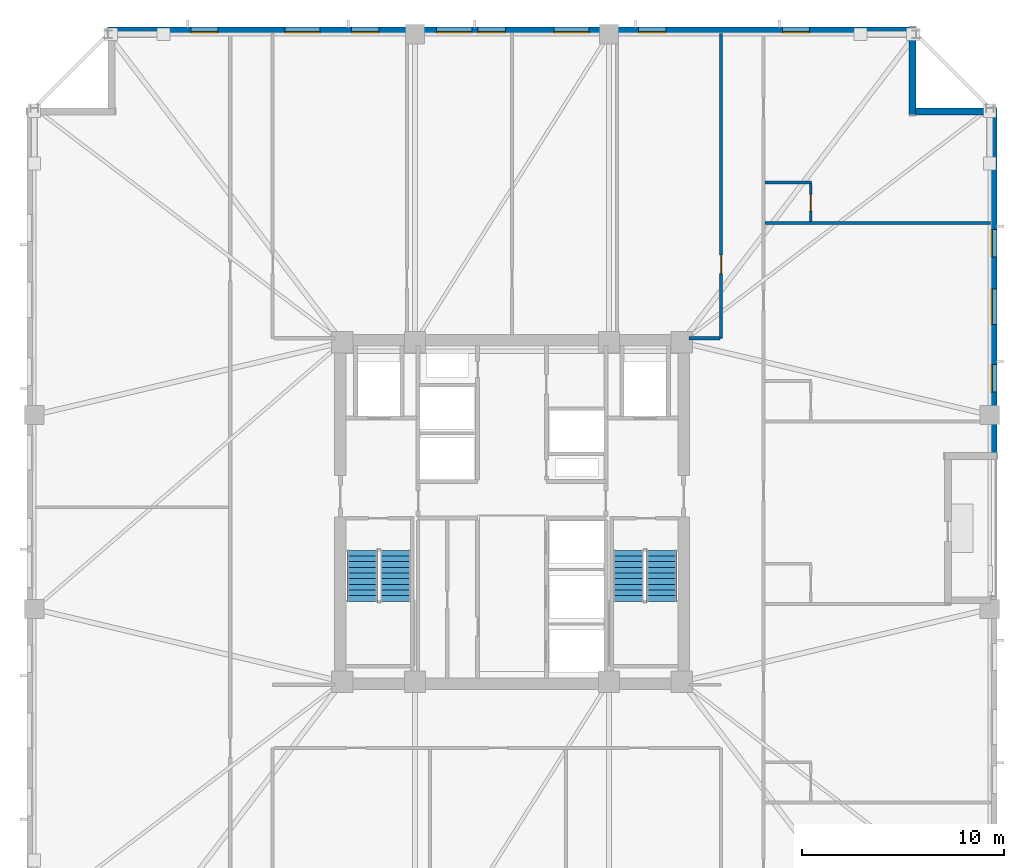
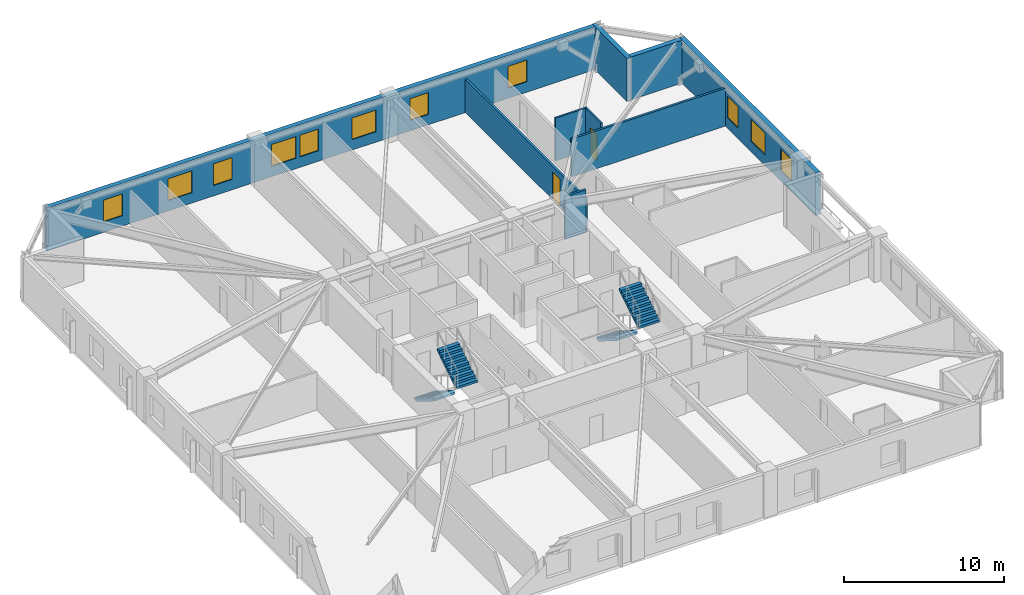
# One storey, part 5 of 10: 11 windows, 9 walls, 4 stair flights, 2 doors, 13 openings, 2 elements without a shape of their own.
"""IFC4 building model written with IfcOpenShell, lengths in metres."""

from ifc_helpers import new_model, si_unit, direction, frame, frame_2d, origin, place, context, subcontext, project, spatial, polyline, rectangle, outline, extrude, material, layer, layer_set, type_object, element, fill, aggregate, save


model = new_model("IFC4")

# Units and contexts
model_context = context("Model", 3, precision=1e-05, world=origin(), true_north=direction((0.0, 1.0)))
body_context = subcontext(model_context, "Body", "Model", "MODEL_VIEW")
ifc_project = project(units=[si_unit("LENGTHUNIT", "METRE"), si_unit("AREAUNIT", "SQUARE_METRE"), si_unit("VOLUMEUNIT", "CUBIC_METRE"), si_unit("PLANEANGLEUNIT", "RADIAN"), si_unit("MASSUNIT", "GRAM", prefix="KILO")], contexts=[model_context])

# Site, building, storey
site_placement = place(None, origin())
site = spatial("IfcSite", under=ifc_project, at=site_placement, CompositionType="ELEMENT")
building_placement = place(site_placement, origin())
building = spatial("IfcBuilding", under=site, at=building_placement, Name="Cairnveth Concourse Tower", CompositionType="ELEMENT")
storey_placement = place(building_placement, frame((0.0, 0.0, 183.0)))
storey = spatial("IfcBuildingStorey", under=building, at=storey_placement, Name="L50", CompositionType="ELEMENT", Elevation=183.0)

# Wall, opening, door
ifc_material_1 = material(Name="Gypsum Plasterboard Partition", Category="gypsum")
ifc_layer_1 = layer(ifc_material_1, 0.159912109375)
ifc_layer_set_1 = layer_set([ifc_layer_1], Name="Gypsum Plasterboard Partition")
wall_type_1 = type_object("IfcWallType", Name="ACOUSTIC PARTY WALL 180", PredefinedType="PARTITIONING", material=ifc_layer_set_1)
wall_1_placement = place(storey_placement, frame((62.35009765625, 47.60009765625, 0.0), z_axis=(0.0, 0.0, 1.0), x_axis=(0.0, 1.0, 0.0)))
wall_1 = element("IfcWall", 1, at=wall_1_placement, inside=storey, type_object=wall_type_1, Name="Interior Wall IW-L50-043", PredefinedType="PARTITIONING", context=body_context, shape_type="SweptSolid", body=[
    extrude(rectangle(XDim=15.074951171875, YDim=0.159912109375, at=frame_2d((7.53759765625, 0.0))), origin(), (0.0, 0.0, 1.0), 2.554931640625),
])
opening_1_placement = place(wall_1_placement, frame((3.199951171875, 0.0, 0.0)))
opening_1 = element("IfcOpeningElement", 2, at=opening_1_placement, cuts=wall_1, Name="Opening ID15", PredefinedType="OPENING", context=body_context, shape_type="SweptSolid", body=[
    extrude(rectangle(XDim=0.919921875, YDim=2.1201171875, at=frame_2d((0.4599609375, 1.06005859375))), frame((0.0, 0.08984375, 0.0), z_axis=(0.0, -1.0, 0.0), x_axis=(1.0, 0.0, 0.0)), (0.0, 0.0, 1.0), 0.179931640625),
])
ifc_material_2 = material(Name="Solid Core Hardwood Timber Leaf", Category="wood")
door_type_1 = type_object("IfcDoorType", Name="INTERIOR SINGLE DOOR 920X2100", OperationType="NOTDEFINED", PredefinedType="DOOR", material=ifc_material_2)
door_1_placement = place(opening_1_placement, origin())
door_1 = element("IfcDoor", 3, at=door_1_placement, inside=storey, type_object=door_type_1, Name="Interior Door DR-L50-018", OperationType="SINGLE_SWING_RIGHT", OverallHeight=2.1201171875, OverallWidth=0.919921875, PredefinedType="DOOR", context=body_context, shape_type="SweptSolid", body=[
    extrude(rectangle(XDim=0.919921875, YDim=2.1201171875, at=frame_2d((0.4599609375, 1.06005859375))), frame((0.0, 0.02490234375, 0.0), z_axis=(0.0, -1.0, 0.0), x_axis=(1.0, 0.0, 0.0)), (0.0, 0.0, 1.0), 0.050048828125),
])
fill(opening_1, door_1)

# Walls
wall_2_placement = place(storey_placement, frame((60.764892578125, 47.60009765625, 0.0), z_axis=(0.0, 0.0, 1.0), x_axis=(1.0, 0.0, 0.0)))
element("IfcWall", 4, at=wall_2_placement, inside=storey, type_object=wall_type_1, Name="Interior Wall IW-L50-045", PredefinedType="PARTITIONING", context=body_context, shape_type="SweptSolid", body=[
    extrude(rectangle(XDim=1.52001953125, YDim=0.159912109375, at=frame_2d((0.760009765625, 0.0))), origin(), (0.0, 0.0, 1.0), 3.280029296875),
])
wall_3_placement = place(storey_placement, frame((64.530029296875, 53.308837890625, 0.0), z_axis=(0.0, 0.0, 1.0), x_axis=(1.0, 0.0, 0.0)))
element("IfcWall", 5, at=wall_3_placement, inside=storey, type_object=wall_type_1, Name="Interior Wall IW-L50-065", PredefinedType="PARTITIONING", context=body_context, shape_type="SweptSolid", body=[
    extrude(rectangle(XDim=11.14501953125, YDim=0.159912109375, at=frame_2d((5.572509765625, 0.0))), origin(), (0.0, 0.0, 1.0), 2.89599609375),
])
ifc_layer_2 = layer(ifc_material_1, 0.1298828125)
ifc_layer_set_2 = layer_set([ifc_layer_2], Name="Gypsum Plasterboard Partition")
wall_type_2 = type_object("IfcWallType", Name="WET AREA PARTITION 140", PredefinedType="PLUMBINGWALL", material=ifc_layer_set_2)
wall_4_placement = place(storey_placement, frame((64.514892578125, 55.308837890625, 0.0), z_axis=(0.0, 0.0, 1.0), x_axis=(1.0, 0.0, 0.0)))
element("IfcWall", 6, at=wall_4_placement, inside=storey, type_object=wall_type_2, Name="Interior Wall IW-L50-066", PredefinedType="PLUMBINGWALL", context=body_context, shape_type="SweptSolid", body=[
    extrude(rectangle(XDim=2.315185546875, YDim=0.1298828125, at=frame_2d((1.15771484375, 0.0))), origin(), (0.0, 0.0, 1.0), 3.280029296875),
])

# Wall, opening, door
wall_5_placement = place(storey_placement, frame((66.780029296875, 53.373779296875, 0.0), z_axis=(0.0, 0.0, 1.0), x_axis=(0.0, 1.0, 0.0)))
wall_5 = element("IfcWall", 7, at=wall_5_placement, inside=storey, type_object=wall_type_2, Name="Interior Wall IW-L50-067", PredefinedType="PLUMBINGWALL", context=body_context, shape_type="SweptSolid", body=[
    extrude(rectangle(XDim=1.885009765625, YDim=0.1298828125, at=frame_2d((0.9423828125, 0.0))), origin(), (0.0, 0.0, 1.0), 3.280029296875),
])
opening_2_placement = place(wall_5_placement, frame((0.52490234375, 0.0, 0.0)))
opening_2 = element("IfcOpeningElement", 8, at=opening_2_placement, cuts=wall_5, Name="Opening ID22", PredefinedType="OPENING", context=body_context, shape_type="SweptSolid", body=[
    extrude(rectangle(XDim=0.820068359375, YDim=2.10009765625, at=frame_2d((0.41015625, 1.050048828125))), frame((0.0, 0.074951171875, 0.0), z_axis=(0.0, -1.0, 0.0), x_axis=(1.0, 0.0, 0.0)), (0.0, 0.0, 1.0), 0.14990234375),
])
door_type_2 = type_object("IfcDoorType", Name="INTERIOR WC DOOR 820X2100", OperationType="NOTDEFINED", PredefinedType="DOOR", material=ifc_material_2)
door_2_placement = place(opening_2_placement, origin())
door_2 = element("IfcDoor", 9, at=door_2_placement, inside=storey, type_object=door_type_2, Name="En-Suite Door L50-E5", OperationType="SINGLE_SWING_RIGHT", OverallHeight=2.10009765625, OverallWidth=0.820068359375, PredefinedType="DOOR", context=body_context, shape_type="SweptSolid", body=[
    extrude(rectangle(XDim=0.820068359375, YDim=2.10009765625, at=frame_2d((0.41015625, 1.050048828125))), frame((0.0, 0.02490234375, 0.0), z_axis=(0.0, -1.0, 0.0), x_axis=(1.0, 0.0, 0.0)), (0.0, 0.0, 1.0), 0.050048828125),
])
fill(opening_2, door_2)

# Wall, openings, windows
ifc_material_3 = material(Name="Hawthorn Red-Ochre Fired Clay Brick Masonry", Category="masonry")
ifc_layer_3 = layer(ifc_material_3, 0.340087890625)
ifc_layer_set_3 = layer_set([ifc_layer_3], Name="Hawthorn Red-Ochre Fired Clay Brick Masonry")
wall_type_3 = type_object("IfcWallType", Name="ZONE 2 BRICK PIER SPANDREL WALL 340", PredefinedType="SOLIDWALL", material=ifc_layer_set_3)
wall_6_placement = place(storey_placement, frame((32.0, 62.830078125, 0.0), z_axis=(0.0, 0.0, 1.0), x_axis=(1.0, 0.0, 0.0)))
wall_6 = element("IfcWall", 10, at=wall_6_placement, inside=storey, type_object=wall_type_3, Name="Exterior Wall EW-L50-S09", PredefinedType="SOLIDWALL", context=body_context, shape_type="SweptSolid", body=[
    extrude(rectangle(XDim=39.681884765625, YDim=0.340087890625, at=frame_2d((19.8408203125, 0.0))), origin(), (0.0, 0.0, 1.0), 3.280029296875),
])
opening_3_placement = place(wall_6_placement, frame((4.101806640625, 0.0, 0.800048828125)))
opening_3 = element("IfcOpeningElement", 11, at=opening_3_placement, cuts=wall_6, Name="Opening W02", PredefinedType="OPENING", context=body_context, shape_type="SweptSolid", body=[
    extrude(rectangle(XDim=1.35009765625, YDim=1.659912109375, at=frame_2d((0.675048828125, 0.830078125))), frame((0.0, 0.179931640625, 0.0), z_axis=(0.0, -1.0, 0.0), x_axis=(1.0, 0.0, 0.0)), (0.0, 0.0, 1.0), 0.360107421875),
])
opening_4_placement = place(wall_6_placement, frame((8.75537109375, 0.0, 0.800048828125)))
opening_4 = element("IfcOpeningElement", 12, at=opening_4_placement, cuts=wall_6, Name="Opening W06", PredefinedType="OPENING", context=body_context, shape_type="SweptSolid", body=[
    extrude(rectangle(XDim=1.75, YDim=1.659912109375, at=frame_2d((0.875, 0.830078125))), frame((0.0, 0.179931640625, 0.0), z_axis=(0.0, -1.0, 0.0), x_axis=(1.0, 0.0, 0.0)), (0.0, 0.0, 1.0), 0.360107421875),
])
opening_5_placement = place(wall_6_placement, frame((12.058837890625, 0.0, 0.800048828125)))
opening_5 = element("IfcOpeningElement", 13, at=opening_5_placement, cuts=wall_6, Name="Opening W02", PredefinedType="OPENING", context=body_context, shape_type="SweptSolid", body=[
    extrude(rectangle(XDim=1.35009765625, YDim=1.659912109375, at=frame_2d((0.675048828125, 0.830078125))), frame((0.0, 0.179931640625, 0.0), z_axis=(0.0, -1.0, 0.0), x_axis=(1.0, 0.0, 0.0)), (0.0, 0.0, 1.0), 0.360107421875),
])
opening_6_placement = place(wall_6_placement, frame((16.262451171875, 0.0, 0.800048828125)))
opening_6 = element("IfcOpeningElement", 14, at=opening_6_placement, cuts=wall_6, Name="Opening W06", PredefinedType="OPENING", context=body_context, shape_type="SweptSolid", body=[
    extrude(rectangle(XDim=1.75, YDim=1.659912109375, at=frame_2d((0.875, 0.830078125))), frame((0.0, 0.179931640625, 0.0), z_axis=(0.0, -1.0, 0.0), x_axis=(1.0, 0.0, 0.0)), (0.0, 0.0, 1.0), 0.360107421875),
])
opening_7_placement = place(wall_6_placement, frame((18.31591796875, 0.0, 0.800048828125)))
opening_7 = element("IfcOpeningElement", 15, at=opening_7_placement, cuts=wall_6, Name="Opening W02", PredefinedType="OPENING", context=body_context, shape_type="SweptSolid", body=[
    extrude(rectangle(XDim=1.35009765625, YDim=1.659912109375, at=frame_2d((0.675048828125, 0.830078125))), frame((0.0, 0.179931640625, 0.0), z_axis=(0.0, -1.0, 0.0), x_axis=(1.0, 0.0, 0.0)), (0.0, 0.0, 1.0), 0.360107421875),
])
opening_8_placement = place(wall_6_placement, frame((22.069580078125, 0.0, 0.800048828125)))
opening_8 = element("IfcOpeningElement", 16, at=opening_8_placement, cuts=wall_6, Name="Opening W06", PredefinedType="OPENING", context=body_context, shape_type="SweptSolid", body=[
    extrude(rectangle(XDim=1.75, YDim=1.659912109375, at=frame_2d((0.875, 0.830078125))), frame((0.0, 0.179931640625, 0.0), z_axis=(0.0, -1.0, 0.0), x_axis=(1.0, 0.0, 0.0)), (0.0, 0.0, 1.0), 0.360107421875),
])
opening_9_placement = place(wall_6_placement, frame((26.273193359375, 0.0, 0.800048828125)))
opening_9 = element("IfcOpeningElement", 17, at=opening_9_placement, cuts=wall_6, Name="Opening W02", PredefinedType="OPENING", context=body_context, shape_type="SweptSolid", body=[
    extrude(rectangle(XDim=1.35009765625, YDim=1.659912109375, at=frame_2d((0.675048828125, 0.830078125))), frame((0.0, 0.179931640625, 0.0), z_axis=(0.0, -1.0, 0.0), x_axis=(1.0, 0.0, 0.0)), (0.0, 0.0, 1.0), 0.360107421875),
])
opening_10_placement = place(wall_6_placement, frame((33.380126953125, 0.0, 0.800048828125)))
opening_10 = element("IfcOpeningElement", 18, at=opening_10_placement, cuts=wall_6, Name="Opening W02", PredefinedType="OPENING", context=body_context, shape_type="SweptSolid", body=[
    extrude(rectangle(XDim=1.35009765625, YDim=1.659912109375, at=frame_2d((0.675048828125, 0.830078125))), frame((0.0, 0.179931640625, 0.0), z_axis=(0.0, -1.0, 0.0), x_axis=(1.0, 0.0, 0.0)), (0.0, 0.0, 1.0), 0.360107421875),
])
ifc_material_4 = material(Name="Double Glazed Low-E Clear Glass", Category="glass")
window_type_1 = type_object("IfcWindowType", Name="DEEP-SET GOTHIC LANCET WINDOW 1350X1800", PartitioningType="DOUBLE_PANEL_VERTICAL", PredefinedType="WINDOW", material=ifc_material_4)
window_1_placement = place(opening_3_placement, origin())
window_1 = element("IfcWindow", 19, at=window_1_placement, inside=storey, type_object=window_type_1, Name="Gothic Lancet Window L50-9-1", OverallHeight=1.659912109375, OverallWidth=1.35009765625, PartitioningType="SINGLE_PANEL", PredefinedType="WINDOW", context=body_context, shape_type="SweptSolid", body=[
    extrude(rectangle(XDim=1.35009765625, YDim=1.659912109375, at=frame_2d((0.675048828125, 0.830078125))), frame((0.0, -0.050048828125, 0.0), z_axis=(0.0, -1.0, 0.0), x_axis=(1.0, 0.0, 0.0)), (0.0, 0.0, 1.0), 0.06005859375),
])
fill(opening_3, window_1)
window_2_placement = place(opening_5_placement, origin())
window_2 = element("IfcWindow", 20, at=window_2_placement, inside=storey, type_object=window_type_1, Name="Gothic Lancet Window L50-9-3", OverallHeight=1.659912109375, OverallWidth=1.35009765625, PartitioningType="SINGLE_PANEL", PredefinedType="WINDOW", context=body_context, shape_type="SweptSolid", body=[
    extrude(rectangle(XDim=1.35009765625, YDim=1.659912109375, at=frame_2d((0.675048828125, 0.830078125))), frame((0.0, -0.050048828125, 0.0), z_axis=(0.0, -1.0, 0.0), x_axis=(1.0, 0.0, 0.0)), (0.0, 0.0, 1.0), 0.06005859375),
])
fill(opening_5, window_2)
window_3_placement = place(opening_7_placement, origin())
window_3 = element("IfcWindow", 21, at=window_3_placement, inside=storey, type_object=window_type_1, Name="Gothic Lancet Window L50-9-5", OverallHeight=1.659912109375, OverallWidth=1.35009765625, PartitioningType="SINGLE_PANEL", PredefinedType="WINDOW", context=body_context, shape_type="SweptSolid", body=[
    extrude(rectangle(XDim=1.35009765625, YDim=1.659912109375, at=frame_2d((0.675048828125, 0.830078125))), frame((0.0, -0.050048828125, 0.0), z_axis=(0.0, -1.0, 0.0), x_axis=(1.0, 0.0, 0.0)), (0.0, 0.0, 1.0), 0.06005859375),
])
fill(opening_7, window_3)
window_4_placement = place(opening_9_placement, origin())
window_4 = element("IfcWindow", 22, at=window_4_placement, inside=storey, type_object=window_type_1, Name="Gothic Lancet Window L50-9-7", OverallHeight=1.659912109375, OverallWidth=1.35009765625, PartitioningType="SINGLE_PANEL", PredefinedType="WINDOW", context=body_context, shape_type="SweptSolid", body=[
    extrude(rectangle(XDim=1.35009765625, YDim=1.659912109375, at=frame_2d((0.675048828125, 0.830078125))), frame((0.0, -0.050048828125, 0.0), z_axis=(0.0, -1.0, 0.0), x_axis=(1.0, 0.0, 0.0)), (0.0, 0.0, 1.0), 0.06005859375),
])
fill(opening_9, window_4)
window_5_placement = place(opening_10_placement, origin())
window_5 = element("IfcWindow", 23, at=window_5_placement, inside=storey, type_object=window_type_1, Name="Gothic Lancet Window L50-9-9", OverallHeight=1.659912109375, OverallWidth=1.35009765625, PartitioningType="SINGLE_PANEL", PredefinedType="WINDOW", context=body_context, shape_type="SweptSolid", body=[
    extrude(rectangle(XDim=1.35009765625, YDim=1.659912109375, at=frame_2d((0.675048828125, 0.830078125))), frame((0.0, -0.050048828125, 0.0), z_axis=(0.0, -1.0, 0.0), x_axis=(1.0, 0.0, 0.0)), (0.0, 0.0, 1.0), 0.06005859375),
])
fill(opening_10, window_5)
window_type_2 = type_object("IfcWindowType", Name="DEEP-SET HOTEL SUITE WINDOW 1750X1800", PartitioningType="DOUBLE_PANEL_VERTICAL", PredefinedType="WINDOW", material=ifc_material_4)
window_6_placement = place(opening_4_placement, origin())
window_6 = element("IfcWindow", 24, at=window_6_placement, inside=storey, type_object=window_type_2, Name="Gothic Lancet Window L50-9-2", OverallHeight=1.659912109375, OverallWidth=1.75, PartitioningType="SINGLE_PANEL", PredefinedType="WINDOW", context=body_context, shape_type="SweptSolid", body=[
    extrude(rectangle(XDim=1.75, YDim=1.659912109375, at=frame_2d((0.875, 0.830078125))), frame((0.0, -0.050048828125, 0.0), z_axis=(0.0, -1.0, 0.0), x_axis=(1.0, 0.0, 0.0)), (0.0, 0.0, 1.0), 0.06005859375),
])
fill(opening_4, window_6)
window_7_placement = place(opening_6_placement, origin())
window_7 = element("IfcWindow", 25, at=window_7_placement, inside=storey, type_object=window_type_2, Name="Gothic Lancet Window L50-9-4", OverallHeight=1.659912109375, OverallWidth=1.75, PartitioningType="SINGLE_PANEL", PredefinedType="WINDOW", context=body_context, shape_type="SweptSolid", body=[
    extrude(rectangle(XDim=1.75, YDim=1.659912109375, at=frame_2d((0.875, 0.830078125))), frame((0.0, -0.050048828125, 0.0), z_axis=(0.0, -1.0, 0.0), x_axis=(1.0, 0.0, 0.0)), (0.0, 0.0, 1.0), 0.06005859375),
])
fill(opening_6, window_7)
window_8_placement = place(opening_8_placement, origin())
window_8 = element("IfcWindow", 26, at=window_8_placement, inside=storey, type_object=window_type_2, Name="Gothic Lancet Window L50-9-6", OverallHeight=1.659912109375, OverallWidth=1.75, PartitioningType="SINGLE_PANEL", PredefinedType="WINDOW", context=body_context, shape_type="SweptSolid", body=[
    extrude(rectangle(XDim=1.75, YDim=1.659912109375, at=frame_2d((0.875, 0.830078125))), frame((0.0, -0.050048828125, 0.0), z_axis=(0.0, -1.0, 0.0), x_axis=(1.0, 0.0, 0.0)), (0.0, 0.0, 1.0), 0.06005859375),
])
fill(opening_8, window_8)

# Walls
wall_7_placement = place(storey_placement, frame((71.830078125, 63.0, 0.0), z_axis=(0.0, 0.0, 1.0), x_axis=(0.0, -1.0, 0.0)))
element("IfcWall", 27, at=wall_7_placement, inside=storey, type_object=wall_type_3, Name="Exterior Wall EW-L50-S10", PredefinedType="SOLIDWALL", context=body_context, shape_type="SweptSolid", body=[
    extrude(rectangle(XDim=4.340087890625, YDim=0.340087890625, at=frame_2d((2.169921875, 0.0))), origin(), (0.0, 0.0, 1.0), 3.280029296875),
])
wall_8_placement = place(storey_placement, frame((71.97802734375, 58.830078125, 0.0), z_axis=(0.0, 0.0, 1.0), x_axis=(1.0, 0.0, 0.0)))
element("IfcWall", 28, at=wall_8_placement, inside=storey, type_object=wall_type_3, Name="Exterior Wall EW-L50-S11", PredefinedType="SOLIDWALL", context=body_context, shape_type="SweptSolid", body=[
    extrude(rectangle(XDim=3.703857421875, YDim=0.340087890625, at=frame_2d((1.85205078125, 0.0))), origin(), (0.0, 0.0, 1.0), 3.280029296875),
])

# Wall, openings, windows
wall_9_placement = place(storey_placement, frame((75.830078125, 59.0, 0.0), z_axis=(0.0, 0.0, 1.0), x_axis=(0.0, -1.0, 0.0)))
wall_9 = element("IfcWall", 29, at=wall_9_placement, inside=storey, type_object=wall_type_3, Name="Exterior Wall EW-L50-S12", PredefinedType="SOLIDWALL", context=body_context, shape_type="SweptSolid", body=[
    extrude(rectangle(XDim=17.08203125, YDim=0.340087890625, at=frame_2d((8.541015625, 0.0))), origin(), (0.0, 0.0, 1.0), 3.280029296875),
])
opening_11_placement = place(wall_9_placement, frame((6.02197265625, 0.0, 0.800048828125)))
opening_11 = element("IfcOpeningElement", 30, at=opening_11_placement, cuts=wall_9, Name="Opening W02", PredefinedType="OPENING", context=body_context, shape_type="SweptSolid", body=[
    extrude(rectangle(XDim=1.35009765625, YDim=1.659912109375, at=frame_2d((0.675048828125, 0.830078125))), frame((0.0, 0.179931640625, 0.0), z_axis=(0.0, -1.0, 0.0), x_axis=(1.0, 0.0, 0.0)), (0.0, 0.0, 1.0), 0.360107421875),
])
opening_12_placement = place(wall_9_placement, frame((8.966064453125, 0.0, 0.800048828125)))
opening_12 = element("IfcOpeningElement", 31, at=opening_12_placement, cuts=wall_9, Name="Opening W06", PredefinedType="OPENING", context=body_context, shape_type="SweptSolid", body=[
    extrude(rectangle(XDim=1.75, YDim=1.659912109375, at=frame_2d((0.875, 0.830078125))), frame((0.0, 0.179931640625, 0.0), z_axis=(0.0, -1.0, 0.0), x_axis=(1.0, 0.0, 0.0)), (0.0, 0.0, 1.0), 0.360107421875),
])
opening_13_placement = place(wall_9_placement, frame((12.7099609375, 0.0, 0.800048828125)))
opening_13 = element("IfcOpeningElement", 32, at=opening_13_placement, cuts=wall_9, Name="Opening W02", PredefinedType="OPENING", context=body_context, shape_type="SweptSolid", body=[
    extrude(rectangle(XDim=1.35009765625, YDim=1.659912109375, at=frame_2d((0.675048828125, 0.830078125))), frame((0.0, 0.179931640625, 0.0), z_axis=(0.0, -1.0, 0.0), x_axis=(1.0, 0.0, 0.0)), (0.0, 0.0, 1.0), 0.360107421875),
])
window_9_placement = place(opening_11_placement, origin())
window_9 = element("IfcWindow", 33, at=window_9_placement, inside=storey, type_object=window_type_1, Name="Gothic Lancet Window L50-12-1", OverallHeight=1.659912109375, OverallWidth=1.35009765625, PartitioningType="SINGLE_PANEL", PredefinedType="WINDOW", context=body_context, shape_type="SweptSolid", body=[
    extrude(rectangle(XDim=1.35009765625, YDim=1.659912109375, at=frame_2d((0.675048828125, 0.830078125))), frame((0.0, -0.050048828125, 0.0), z_axis=(0.0, -1.0, 0.0), x_axis=(1.0, 0.0, 0.0)), (0.0, 0.0, 1.0), 0.06005859375),
])
fill(opening_11, window_9)
window_10_placement = place(opening_13_placement, origin())
window_10 = element("IfcWindow", 34, at=window_10_placement, inside=storey, type_object=window_type_1, Name="Gothic Lancet Window L50-12-3", OverallHeight=1.659912109375, OverallWidth=1.35009765625, PartitioningType="SINGLE_PANEL", PredefinedType="WINDOW", context=body_context, shape_type="SweptSolid", body=[
    extrude(rectangle(XDim=1.35009765625, YDim=1.659912109375, at=frame_2d((0.675048828125, 0.830078125))), frame((0.0, -0.050048828125, 0.0), z_axis=(0.0, -1.0, 0.0), x_axis=(1.0, 0.0, 0.0)), (0.0, 0.0, 1.0), 0.06005859375),
])
fill(opening_13, window_10)
window_11_placement = place(opening_12_placement, origin())
window_11 = element("IfcWindow", 35, at=window_11_placement, inside=storey, type_object=window_type_2, Name="Gothic Lancet Window L50-12-2", OverallHeight=1.659912109375, OverallWidth=1.75, PartitioningType="SINGLE_PANEL", PredefinedType="WINDOW", context=body_context, shape_type="SweptSolid", body=[
    extrude(rectangle(XDim=1.75, YDim=1.659912109375, at=frame_2d((0.875, 0.830078125))), frame((0.0, -0.050048828125, 0.0), z_axis=(0.0, -1.0, 0.0), x_axis=(1.0, 0.0, 0.0)), (0.0, 0.0, 1.0), 0.06005859375),
])
fill(opening_12, window_11)

# Stair, stair flights
ifc_material_5 = material(Name="Precast concrete N50 (50 MPa)", Category="concrete")
stair_type = type_object("IfcStairType", Name="CORE DOG-LEG FIRE STAIR 1500", PredefinedType="HALF_TURN_STAIR", material=ifc_material_5)
stair_1_placement = place(storey_placement, origin())
stair_1 = element("IfcStair", 36, at=stair_1_placement, inside=storey, type_object=stair_type, Name="L50 Fire-Isolated Stair ST-1", PredefinedType="HALF_TURN_STAIR")
stair_flight_type = type_object("IfcStairFlightType", Name="PRECAST CONCRETE STAIR FLIGHT 1500", PredefinedType="STRAIGHT", material=ifc_material_5)
stair_flight_1_placement = place(storey_placement, frame((44.590087890625, 37.10009765625, 0.0), z_axis=(0.0, 0.0, 1.0), x_axis=(0.0, -1.0, 0.0)))
stair_flight_1 = element("IfcStairFlight", 37, at=stair_flight_1_placement, type_object=stair_flight_type, Name="ST-1 flight 1", NumberOfRisers=10, NumberOfTreads=9, PredefinedType="STRAIGHT", RiserHeight=0.175, TreadLength=0.28, context=body_context, shape_type="SweptSolid", body=[
    extrude(outline(polyline([(0.0, 0.0), (0.0, 0.175048828125), (0.280029296875, 0.175048828125), (0.280029296875, 0.35009765625), (0.56005859375, 0.35009765625), (0.56005859375, 0.52490234375), (0.840087890625, 0.52490234375), (0.840087890625, 0.699951171875), (1.1201171875, 0.699951171875), (1.1201171875, 0.875), (1.39990234375, 0.875), (1.39990234375, 1.050048828125), (1.679931640625, 1.050048828125), (1.679931640625, 1.22509765625), (1.9599609375, 1.22509765625), (1.9599609375, 1.39990234375), (2.239990234375, 1.39990234375), (2.239990234375, 1.574951171875), (2.52001953125, 1.574951171875), (2.52001953125, 1.75), (2.52001953125, 1.398193359375), (0.28271484375, 0.0), (0.0, 0.0)])), frame((0.0, 0.75, 0.0), z_axis=(0.0, -1.0, 0.0), x_axis=(1.0, 0.0, 0.0)), (0.0, 0.0, 1.0), 1.5),
])
stair_flight_2_placement = place(storey_placement, frame((46.22998046875, 34.580078125, 1.75), z_axis=(0.0, 0.0, 1.0), x_axis=(0.0, 1.0, 0.0)))
stair_flight_2 = element("IfcStairFlight", 38, at=stair_flight_2_placement, type_object=stair_flight_type, Name="ST-1 flight 2", NumberOfRisers=10, NumberOfTreads=9, PredefinedType="STRAIGHT", RiserHeight=0.175, TreadLength=0.28, context=body_context, shape_type="SweptSolid", body=[
    extrude(outline(polyline([(0.0, 0.0), (0.0, 0.175048828125), (0.280029296875, 0.175048828125), (0.280029296875, 0.35009765625), (0.56005859375, 0.35009765625), (0.56005859375, 0.52490234375), (0.840087890625, 0.52490234375), (0.840087890625, 0.699951171875), (1.1201171875, 0.699951171875), (1.1201171875, 0.875), (1.39990234375, 0.875), (1.39990234375, 1.050048828125), (1.679931640625, 1.050048828125), (1.679931640625, 1.22509765625), (1.9599609375, 1.22509765625), (1.9599609375, 1.39990234375), (2.239990234375, 1.39990234375), (2.239990234375, 1.574951171875), (2.52001953125, 1.574951171875), (2.52001953125, 1.75), (2.52001953125, 1.398193359375), (0.28271484375, 0.0), (0.0, 0.0)])), frame((0.0, 0.75, 0.0), z_axis=(0.0, -1.0, 0.0), x_axis=(1.0, 0.0, 0.0)), (0.0, 0.0, 1.0), 1.5),
])
aggregate(stair_1, [stair_flight_1, stair_flight_2])

stair_2_placement = place(storey_placement, origin())
stair_2 = element("IfcStair", 39, at=stair_2_placement, inside=storey, type_object=stair_type, Name="L50 Fire-Isolated Stair ST-2", PredefinedType="HALF_TURN_STAIR")
stair_flight_3_placement = place(storey_placement, frame((57.77001953125, 37.10009765625, 0.0), z_axis=(0.0, 0.0, 1.0), x_axis=(0.0, -1.0, 0.0)))
stair_flight_3 = element("IfcStairFlight", 40, at=stair_flight_3_placement, type_object=stair_flight_type, Name="ST-2 flight 1", NumberOfRisers=10, NumberOfTreads=9, PredefinedType="STRAIGHT", RiserHeight=0.175, TreadLength=0.28, context=body_context, shape_type="SweptSolid", body=[
    extrude(outline(polyline([(0.0, 0.0), (0.0, 0.175048828125), (0.280029296875, 0.175048828125), (0.280029296875, 0.35009765625), (0.56005859375, 0.35009765625), (0.56005859375, 0.52490234375), (0.840087890625, 0.52490234375), (0.840087890625, 0.699951171875), (1.1201171875, 0.699951171875), (1.1201171875, 0.875), (1.39990234375, 0.875), (1.39990234375, 1.050048828125), (1.679931640625, 1.050048828125), (1.679931640625, 1.22509765625), (1.9599609375, 1.22509765625), (1.9599609375, 1.39990234375), (2.239990234375, 1.39990234375), (2.239990234375, 1.574951171875), (2.52001953125, 1.574951171875), (2.52001953125, 1.75), (2.52001953125, 1.398193359375), (0.28271484375, 0.0), (0.0, 0.0)])), frame((0.0, 0.75, 0.0), z_axis=(0.0, -1.0, 0.0), x_axis=(1.0, 0.0, 0.0)), (0.0, 0.0, 1.0), 1.5),
])
stair_flight_4_placement = place(storey_placement, frame((59.409912109375, 34.580078125, 1.75), z_axis=(0.0, 0.0, 1.0), x_axis=(0.0, 1.0, 0.0)))
stair_flight_4 = element("IfcStairFlight", 41, at=stair_flight_4_placement, type_object=stair_flight_type, Name="ST-2 flight 2", NumberOfRisers=10, NumberOfTreads=9, PredefinedType="STRAIGHT", RiserHeight=0.175, TreadLength=0.28, context=body_context, shape_type="SweptSolid", body=[
    extrude(outline(polyline([(0.0, 0.0), (0.0, 0.175048828125), (0.280029296875, 0.175048828125), (0.280029296875, 0.35009765625), (0.56005859375, 0.35009765625), (0.56005859375, 0.52490234375), (0.840087890625, 0.52490234375), (0.840087890625, 0.699951171875), (1.1201171875, 0.699951171875), (1.1201171875, 0.875), (1.39990234375, 0.875), (1.39990234375, 1.050048828125), (1.679931640625, 1.050048828125), (1.679931640625, 1.22509765625), (1.9599609375, 1.22509765625), (1.9599609375, 1.39990234375), (2.239990234375, 1.39990234375), (2.239990234375, 1.574951171875), (2.52001953125, 1.574951171875), (2.52001953125, 1.75), (2.52001953125, 1.398193359375), (0.28271484375, 0.0), (0.0, 0.0)])), frame((0.0, 0.75, 0.0), z_axis=(0.0, -1.0, 0.0), x_axis=(1.0, 0.0, 0.0)), (0.0, 0.0, 1.0), 1.5),
])
aggregate(stair_2, [stair_flight_3, stair_flight_4])

save(model, "model.ifc")
